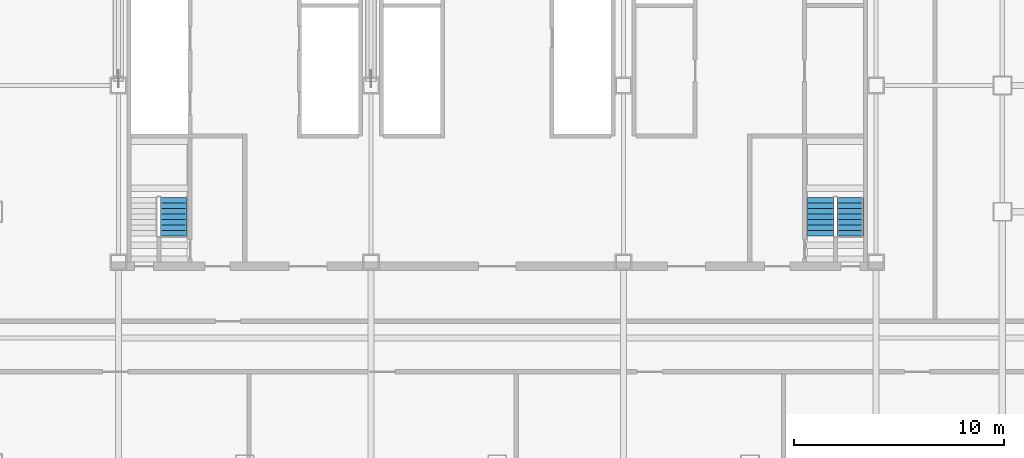
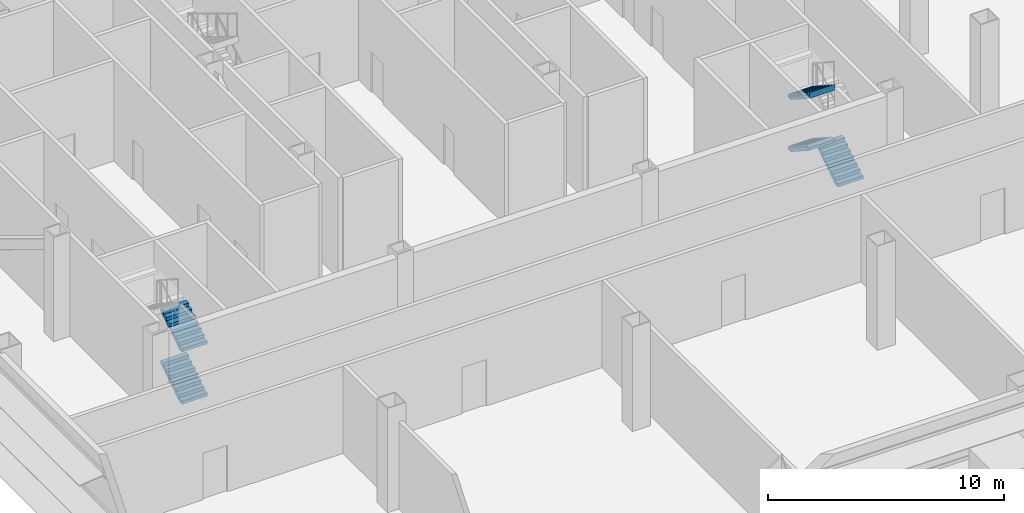
# One storey, part 7 of 11: 5 stair flights, 2 elements without a shape of their own.
"""IFC4 building model written with IfcOpenShell, lengths in metres."""

from ifc_helpers import new_model, si_unit, direction, frame, origin, place, context, subcontext, project, spatial, polyline, outline, extrude, material, type_object, element, aggregate, save


model = new_model("IFC4")

# Units and contexts
model_context = context("Model", 3, precision=1e-05, world=origin(), true_north=direction((0.0, 1.0)))
body_context = subcontext(model_context, "Body", "Model", "MODEL_VIEW")
ifc_project = project(units=[si_unit("LENGTHUNIT", "METRE"), si_unit("AREAUNIT", "SQUARE_METRE"), si_unit("VOLUMEUNIT", "CUBIC_METRE"), si_unit("PLANEANGLEUNIT", "RADIAN"), si_unit("MASSUNIT", "GRAM", prefix="KILO")], contexts=[model_context])

# Site, building, storey
site_placement = place(None, origin())
site = spatial("IfcSite", under=ifc_project, at=site_placement, CompositionType="ELEMENT")
building_placement = place(site_placement, origin())
building = spatial("IfcBuilding", under=site, at=building_placement, Name="Sorahane Residences", CompositionType="ELEMENT")
storey_placement = place(building_placement, frame((0.0, 0.0, 44.39990234375)))
storey = spatial("IfcBuildingStorey", under=building, at=storey_placement, Name="L07", CompositionType="ELEMENT", Elevation=44.39990234375)

# Stair, stair flights
ifc_material_1 = material(Name="Concrete C40", Category="concrete")
stair_type = type_object("IfcStairType", Name="Dog-leg stair 1250 Concrete C40", PredefinedType="HALF_TURN_STAIR", material=ifc_material_1)
stair_1_placement = place(storey_placement, origin())
stair_1 = element("IfcStair", 1, at=stair_1_placement, inside=storey, type_object=stair_type, Name="L07 Stair S4", PredefinedType="HALF_TURN_STAIR")
ifc_material_2 = material(Name="Concrete C40", Category="concrete")
stair_flight_type = type_object("IfcStairFlightType", Name="Stair flight 1250 Concrete C40", PredefinedType="STRAIGHT", material=ifc_material_2)
stair_flight_1_placement = place(storey_placement, frame((8.625, 22.85009765625, 0.0), z_axis=(0.0, 0.0, 1.0), x_axis=(0.0, 1.0, 0.0)))
stair_flight_1 = element("IfcStairFlight", 2, at=stair_flight_1_placement, type_object=stair_flight_type, Name="S4 flight 1", NumberOfRisers=8, NumberOfTreads=7, PredefinedType="STRAIGHT", RiserHeight=0.16875, TreadLength=0.26, context=body_context, shape_type="SweptSolid", body=[
    extrude(outline(polyline([(-0.00146484375, 0.0), (-0.00146484375, 0.002197265625), (-0.00146484375, 0.004150390625), (-0.00146484375, 0.00634765625), (-0.00146484375, 0.00830078125), (-0.00146484375, 0.010498046875), (-0.00146484375, 0.012451171875), (-0.00146484375, 0.0146484375), (-0.00146484375, 0.0166015625), (-0.00146484375, 0.018798828125), (-0.00146484375, 0.020751953125), (-0.00146484375, 0.02294921875), (-0.00146484375, 0.02490234375), (-0.00146484375, 0.027099609375), (-0.00146484375, 0.029052734375), (-0.00146484375, 0.03125), (-0.00146484375, 0.033447265625), (-0.00146484375, 0.035400390625), (-0.00146484375, 0.03759765625), (-0.00146484375, 0.03955078125), (-0.00146484375, 0.041748046875), (-0.00146484375, 0.043701171875), (-0.00146484375, 0.0458984375), (-0.00146484375, 0.0478515625), (-0.00146484375, 0.050048828125), (-0.00146484375, 0.052001953125), (-0.00146484375, 0.05419921875), (-0.00146484375, 0.05615234375), (-0.00146484375, 0.058349609375), (-0.00146484375, 0.060302734375), (-0.00146484375, 0.0625), (-0.00146484375, 0.064697265625), (-0.00146484375, 0.066650390625), (-0.00146484375, 0.06884765625), (-0.00146484375, 0.07080078125), (-0.00146484375, 0.072998046875), (-0.00146484375, 0.074951171875), (-0.00146484375, 0.0771484375), (-0.00146484375, 0.0791015625), (-0.00146484375, 0.081298828125), (-0.00146484375, 0.083251953125), (-0.00146484375, 0.08544921875), (-0.00146484375, 0.08740234375), (-0.00146484375, 0.089599609375), (-0.00146484375, 0.091552734375), (-0.00146484375, 0.09375), (-0.00146484375, 0.095947265625), (-0.00146484375, 0.097900390625), (-0.00146484375, 0.10009765625), (-0.00146484375, 0.10205078125), (-0.00146484375, 0.104248046875), (-0.00146484375, 0.106201171875), (-0.00146484375, 0.1083984375), (-0.00146484375, 0.1103515625), (-0.00146484375, 0.112548828125), (-0.00146484375, 0.114501953125), (-0.00146484375, 0.11669921875), (-0.00146484375, 0.11865234375), (-0.00146484375, 0.120849609375), (-0.00146484375, 0.122802734375), (-0.00146484375, 0.125), (-0.00146484375, 0.127197265625), (-0.00146484375, 0.129150390625), (-0.00146484375, 0.13134765625), (-0.00146484375, 0.13330078125), (-0.00146484375, 0.135498046875), (-0.00146484375, 0.137451171875), (-0.00146484375, 0.1396484375), (-0.00146484375, 0.1416015625), (-0.00146484375, 0.143798828125), (-0.00146484375, 0.145751953125), (-0.00146484375, 0.14794921875), (-0.00146484375, 0.14990234375), (-0.00146484375, 0.152099609375), (-0.00146484375, 0.154052734375), (-0.00146484375, 0.15625), (-0.00146484375, 0.158447265625), (-0.00146484375, 0.160400390625), (-0.00146484375, 0.16259765625), (-0.00146484375, 0.16455078125), (-0.00146484375, 0.166748046875), (-0.00146484375, 0.168701171875), (0.0, 0.168701171875), (0.260009765625, 0.168701171875), (0.260009765625, 0.33740234375), (0.52001953125, 0.33740234375), (0.52001953125, 0.50634765625), (0.780029296875, 0.50634765625), (0.780029296875, 0.675048828125), (1.0400390625, 0.675048828125), (1.0400390625, 0.84375), (1.300048828125, 0.84375), (1.300048828125, 1.012451171875), (1.56005859375, 1.012451171875), (1.56005859375, 1.18115234375), (1.820068359375, 1.18115234375), (1.820068359375, 1.35009765625), (1.820068359375, 1.34619140625), (1.820068359375, 1.34228515625), (1.820068359375, 1.33837890625), (1.820068359375, 1.334716796875), (1.820068359375, 1.330810546875), (1.820068359375, 1.326904296875), (1.820068359375, 1.322998046875), (1.820068359375, 1.319091796875), (1.820068359375, 1.3154296875), (1.820068359375, 1.3115234375), (1.820068359375, 1.3076171875), (1.820068359375, 1.3037109375), (1.820068359375, 1.300048828125), (1.820068359375, 1.296142578125), (1.820068359375, 1.292236328125), (1.820068359375, 1.288330078125), (1.820068359375, 1.284423828125), (1.820068359375, 1.28076171875), (1.820068359375, 1.27685546875), (1.820068359375, 1.27294921875), (1.820068359375, 1.26904296875), (1.820068359375, 1.265380859375), (1.820068359375, 1.261474609375), (1.820068359375, 1.257568359375), (1.820068359375, 1.253662109375), (1.820068359375, 1.249755859375), (1.820068359375, 1.24609375), (1.820068359375, 1.2421875), (1.820068359375, 1.23828125), (1.820068359375, 1.234375), (1.820068359375, 1.230712890625), (1.820068359375, 1.226806640625), (1.820068359375, 1.222900390625), (1.820068359375, 1.218994140625), (1.820068359375, 1.215087890625), (1.820068359375, 1.21142578125), (1.820068359375, 1.20751953125), (1.820068359375, 1.20361328125), (1.820068359375, 1.19970703125), (1.820068359375, 1.196044921875), (1.820068359375, 1.192138671875), (1.820068359375, 1.188232421875), (1.820068359375, 1.184326171875), (1.820068359375, 1.1806640625), (1.820068359375, 1.1767578125), (1.820068359375, 1.1728515625), (1.820068359375, 1.1689453125), (1.820068359375, 1.1650390625), (1.820068359375, 1.161376953125), (1.820068359375, 1.157470703125), (1.820068359375, 1.153564453125), (1.820068359375, 1.149658203125), (1.820068359375, 1.14599609375), (1.820068359375, 1.14208984375), (1.820068359375, 1.13818359375), (1.820068359375, 1.13427734375), (1.820068359375, 1.13037109375), (1.820068359375, 1.126708984375), (1.820068359375, 1.122802734375), (1.820068359375, 1.118896484375), (1.820068359375, 1.114990234375), (1.820068359375, 1.111328125), (1.820068359375, 1.107421875), (1.820068359375, 1.103515625), (1.820068359375, 1.099609375), (1.820068359375, 1.095703125), (1.820068359375, 1.092041015625), (1.820068359375, 1.088134765625), (1.820068359375, 1.084228515625), (1.820068359375, 1.080322265625), (1.820068359375, 1.07666015625), (1.820068359375, 1.07275390625), (1.820068359375, 1.06884765625), (1.820068359375, 1.06494140625), (1.820068359375, 1.061279296875), (1.820068359375, 1.057373046875), (1.820068359375, 1.053466796875), (1.820068359375, 1.049560546875), (1.820068359375, 1.045654296875), (1.820068359375, 1.0419921875), (1.820068359375, 1.0380859375), (1.642333984375, 0.922607421875), (1.464599609375, 0.807373046875), (1.286865234375, 0.692138671875), (1.109130859375, 0.57666015625), (0.931396484375, 0.46142578125), (0.753662109375, 0.345947265625), (0.575927734375, 0.230712890625), (0.3984375, 0.115234375), (0.220703125, 0.0), (-0.00146484375, 0.0)])), frame((0.0, 0.625, 0.0), z_axis=(0.0, -1.0, 0.0), x_axis=(1.0, 0.0, 0.0)), (0.0, 0.0, 1.0), 1.25),
])
stair_flight_2_placement = place(storey_placement, frame((8.625, 22.85009765625, 2.7001953125), z_axis=(0.0, 0.0, 1.0), x_axis=(0.0, 1.0, 0.0)))
stair_flight_2 = element("IfcStairFlight", 3, at=stair_flight_2_placement, type_object=stair_flight_type, Name="S4 flight 3", NumberOfRisers=8, NumberOfTreads=7, PredefinedType="STRAIGHT", RiserHeight=0.16875, TreadLength=0.26, context=body_context, shape_type="SweptSolid", body=[
    extrude(outline(polyline([(0.0, 0.0), (0.0, 0.002197265625), (0.0, 0.004150390625), (0.0, 0.00634765625), (0.0, 0.00830078125), (0.0, 0.010498046875), (0.0, 0.012451171875), (0.0, 0.0146484375), (0.0, 0.0166015625), (0.0, 0.018798828125), (0.0, 0.020751953125), (0.0, 0.02294921875), (0.0, 0.02490234375), (0.0, 0.027099609375), (0.0, 0.029052734375), (0.0, 0.03125), (0.0, 0.033447265625), (0.0, 0.035400390625), (0.0, 0.03759765625), (0.0, 0.03955078125), (0.0, 0.041748046875), (0.0, 0.043701171875), (0.0, 0.0458984375), (0.0, 0.0478515625), (0.0, 0.050048828125), (0.0, 0.052001953125), (0.0, 0.05419921875), (0.0, 0.05615234375), (0.0, 0.058349609375), (0.0, 0.060302734375), (0.0, 0.0625), (0.0, 0.064697265625), (0.0, 0.066650390625), (0.0, 0.06884765625), (0.0, 0.07080078125), (0.0, 0.072998046875), (0.0, 0.074951171875), (0.0, 0.0771484375), (0.0, 0.0791015625), (0.0, 0.081298828125), (0.0, 0.083251953125), (0.0, 0.08544921875), (0.0, 0.08740234375), (0.0, 0.089599609375), (0.0, 0.091552734375), (0.0, 0.09375), (0.0, 0.095947265625), (0.0, 0.097900390625), (0.0, 0.10009765625), (0.0, 0.10205078125), (0.0, 0.104248046875), (0.0, 0.106201171875), (0.0, 0.1083984375), (0.0, 0.1103515625), (0.0, 0.112548828125), (0.0, 0.114501953125), (0.0, 0.11669921875), (0.0, 0.11865234375), (0.0, 0.120849609375), (0.0, 0.122802734375), (0.0, 0.125), (0.0, 0.127197265625), (0.0, 0.129150390625), (0.0, 0.13134765625), (0.0, 0.13330078125), (0.0, 0.135498046875), (0.0, 0.137451171875), (0.0, 0.1396484375), (0.0, 0.1416015625), (0.0, 0.143798828125), (0.0, 0.145751953125), (0.0, 0.14794921875), (0.0, 0.14990234375), (0.0, 0.152099609375), (0.0, 0.154052734375), (0.0, 0.15625), (0.0, 0.158447265625), (0.0, 0.160400390625), (0.0, 0.16259765625), (0.0, 0.16455078125), (0.0, 0.166748046875), (0.0, 0.168701171875), (0.260009765625, 0.168701171875), (0.260009765625, 0.33740234375), (0.52001953125, 0.33740234375), (0.52001953125, 0.50634765625), (0.780029296875, 0.50634765625), (0.780029296875, 0.675048828125), (1.0400390625, 0.675048828125), (1.0400390625, 0.84375), (1.300048828125, 0.84375), (1.300048828125, 1.012451171875), (1.56005859375, 1.012451171875), (1.56005859375, 1.18115234375), (1.820068359375, 1.18115234375), (1.820068359375, 1.35009765625), (1.820068359375, 1.34619140625), (1.820068359375, 1.34228515625), (1.820068359375, 1.33837890625), (1.820068359375, 1.334716796875), (1.820068359375, 1.330810546875), (1.820068359375, 1.326904296875), (1.820068359375, 1.322998046875), (1.820068359375, 1.319091796875), (1.820068359375, 1.3154296875), (1.820068359375, 1.3115234375), (1.820068359375, 1.3076171875), (1.820068359375, 1.3037109375), (1.820068359375, 1.300048828125), (1.820068359375, 1.296142578125), (1.820068359375, 1.292236328125), (1.820068359375, 1.288330078125), (1.820068359375, 1.284423828125), (1.820068359375, 1.28076171875), (1.820068359375, 1.27685546875), (1.820068359375, 1.27294921875), (1.820068359375, 1.26904296875), (1.820068359375, 1.265380859375), (1.820068359375, 1.261474609375), (1.820068359375, 1.257568359375), (1.820068359375, 1.253662109375), (1.820068359375, 1.249755859375), (1.820068359375, 1.24609375), (1.820068359375, 1.2421875), (1.820068359375, 1.23828125), (1.820068359375, 1.234375), (1.820068359375, 1.230712890625), (1.820068359375, 1.226806640625), (1.820068359375, 1.222900390625), (1.820068359375, 1.218994140625), (1.820068359375, 1.215087890625), (1.820068359375, 1.21142578125), (1.820068359375, 1.20751953125), (1.820068359375, 1.20361328125), (1.820068359375, 1.19970703125), (1.820068359375, 1.196044921875), (1.820068359375, 1.192138671875), (1.820068359375, 1.188232421875), (1.820068359375, 1.184326171875), (1.820068359375, 1.1806640625), (1.820068359375, 1.1767578125), (1.820068359375, 1.1728515625), (1.820068359375, 1.1689453125), (1.820068359375, 1.1650390625), (1.820068359375, 1.161376953125), (1.820068359375, 1.157470703125), (1.820068359375, 1.153564453125), (1.820068359375, 1.149658203125), (1.820068359375, 1.14599609375), (1.820068359375, 1.14208984375), (1.820068359375, 1.13818359375), (1.820068359375, 1.13427734375), (1.820068359375, 1.13037109375), (1.820068359375, 1.126708984375), (1.820068359375, 1.122802734375), (1.820068359375, 1.118896484375), (1.820068359375, 1.114990234375), (1.820068359375, 1.111328125), (1.820068359375, 1.107421875), (1.820068359375, 1.103515625), (1.820068359375, 1.099609375), (1.820068359375, 1.095703125), (1.820068359375, 1.092041015625), (1.820068359375, 1.088134765625), (1.820068359375, 1.084228515625), (1.820068359375, 1.080322265625), (1.820068359375, 1.07666015625), (1.820068359375, 1.07275390625), (1.820068359375, 1.06884765625), (1.820068359375, 1.06494140625), (1.820068359375, 1.061279296875), (1.820068359375, 1.057373046875), (1.820068359375, 1.053466796875), (1.820068359375, 1.049560546875), (1.820068359375, 1.045654296875), (1.820068359375, 1.0419921875), (1.820068359375, 1.0380859375), (1.6201171875, 0.908203125), (1.420166015625, 0.778564453125), (1.22021484375, 0.648681640625), (1.020263671875, 0.51904296875), (0.8203125, 0.38916015625), (0.620361328125, 0.259521484375), (0.420654296875, 0.129638671875), (0.220703125, 0.0), (0.0, 0.0)])), frame((0.0, 0.625, 0.0), z_axis=(0.0, -1.0, 0.0), x_axis=(1.0, 0.0, 0.0)), (0.0, 0.0, 1.0), 1.25),
])
aggregate(stair_1, [stair_flight_1, stair_flight_2])

stair_2_placement = place(storey_placement, origin())
stair_2 = element("IfcStair", 4, at=stair_2_placement, inside=storey, type_object=stair_type, Name="L07 Stair S5", PredefinedType="HALF_TURN_STAIR")
stair_flight_3_placement = place(storey_placement, frame((40.77490234375, 22.85009765625, 0.0), z_axis=(0.0, 0.0, 1.0), x_axis=(0.0, 1.0, 0.0)))
stair_flight_3 = element("IfcStairFlight", 5, at=stair_flight_3_placement, type_object=stair_flight_type, Name="S5 flight 1", NumberOfRisers=8, NumberOfTreads=7, PredefinedType="STRAIGHT", RiserHeight=0.16875, TreadLength=0.26, context=body_context, shape_type="SweptSolid", body=[
    extrude(outline(polyline([(-0.00146484375, 0.0), (-0.00146484375, 0.002197265625), (-0.00146484375, 0.004150390625), (-0.00146484375, 0.00634765625), (-0.00146484375, 0.00830078125), (-0.00146484375, 0.010498046875), (-0.00146484375, 0.012451171875), (-0.00146484375, 0.0146484375), (-0.00146484375, 0.0166015625), (-0.00146484375, 0.018798828125), (-0.00146484375, 0.020751953125), (-0.00146484375, 0.02294921875), (-0.00146484375, 0.02490234375), (-0.00146484375, 0.027099609375), (-0.00146484375, 0.029052734375), (-0.00146484375, 0.03125), (-0.00146484375, 0.033447265625), (-0.00146484375, 0.035400390625), (-0.00146484375, 0.03759765625), (-0.00146484375, 0.03955078125), (-0.00146484375, 0.041748046875), (-0.00146484375, 0.043701171875), (-0.00146484375, 0.0458984375), (-0.00146484375, 0.0478515625), (-0.00146484375, 0.050048828125), (-0.00146484375, 0.052001953125), (-0.00146484375, 0.05419921875), (-0.00146484375, 0.05615234375), (-0.00146484375, 0.058349609375), (-0.00146484375, 0.060302734375), (-0.00146484375, 0.0625), (-0.00146484375, 0.064697265625), (-0.00146484375, 0.066650390625), (-0.00146484375, 0.06884765625), (-0.00146484375, 0.07080078125), (-0.00146484375, 0.072998046875), (-0.00146484375, 0.074951171875), (-0.00146484375, 0.0771484375), (-0.00146484375, 0.0791015625), (-0.00146484375, 0.081298828125), (-0.00146484375, 0.083251953125), (-0.00146484375, 0.08544921875), (-0.00146484375, 0.08740234375), (-0.00146484375, 0.089599609375), (-0.00146484375, 0.091552734375), (-0.00146484375, 0.09375), (-0.00146484375, 0.095947265625), (-0.00146484375, 0.097900390625), (-0.00146484375, 0.10009765625), (-0.00146484375, 0.10205078125), (-0.00146484375, 0.104248046875), (-0.00146484375, 0.106201171875), (-0.00146484375, 0.1083984375), (-0.00146484375, 0.1103515625), (-0.00146484375, 0.112548828125), (-0.00146484375, 0.114501953125), (-0.00146484375, 0.11669921875), (-0.00146484375, 0.11865234375), (-0.00146484375, 0.120849609375), (-0.00146484375, 0.122802734375), (-0.00146484375, 0.125), (-0.00146484375, 0.127197265625), (-0.00146484375, 0.129150390625), (-0.00146484375, 0.13134765625), (-0.00146484375, 0.13330078125), (-0.00146484375, 0.135498046875), (-0.00146484375, 0.137451171875), (-0.00146484375, 0.1396484375), (-0.00146484375, 0.1416015625), (-0.00146484375, 0.143798828125), (-0.00146484375, 0.145751953125), (-0.00146484375, 0.14794921875), (-0.00146484375, 0.14990234375), (-0.00146484375, 0.152099609375), (-0.00146484375, 0.154052734375), (-0.00146484375, 0.15625), (-0.00146484375, 0.158447265625), (-0.00146484375, 0.160400390625), (-0.00146484375, 0.16259765625), (-0.00146484375, 0.16455078125), (-0.00146484375, 0.166748046875), (-0.00146484375, 0.168701171875), (0.0, 0.168701171875), (0.260009765625, 0.168701171875), (0.260009765625, 0.33740234375), (0.52001953125, 0.33740234375), (0.52001953125, 0.50634765625), (0.780029296875, 0.50634765625), (0.780029296875, 0.675048828125), (1.0400390625, 0.675048828125), (1.0400390625, 0.84375), (1.300048828125, 0.84375), (1.300048828125, 1.012451171875), (1.56005859375, 1.012451171875), (1.56005859375, 1.18115234375), (1.820068359375, 1.18115234375), (1.820068359375, 1.35009765625), (1.820068359375, 1.34619140625), (1.820068359375, 1.34228515625), (1.820068359375, 1.33837890625), (1.820068359375, 1.334716796875), (1.820068359375, 1.330810546875), (1.820068359375, 1.326904296875), (1.820068359375, 1.322998046875), (1.820068359375, 1.319091796875), (1.820068359375, 1.3154296875), (1.820068359375, 1.3115234375), (1.820068359375, 1.3076171875), (1.820068359375, 1.3037109375), (1.820068359375, 1.300048828125), (1.820068359375, 1.296142578125), (1.820068359375, 1.292236328125), (1.820068359375, 1.288330078125), (1.820068359375, 1.284423828125), (1.820068359375, 1.28076171875), (1.820068359375, 1.27685546875), (1.820068359375, 1.27294921875), (1.820068359375, 1.26904296875), (1.820068359375, 1.265380859375), (1.820068359375, 1.261474609375), (1.820068359375, 1.257568359375), (1.820068359375, 1.253662109375), (1.820068359375, 1.249755859375), (1.820068359375, 1.24609375), (1.820068359375, 1.2421875), (1.820068359375, 1.23828125), (1.820068359375, 1.234375), (1.820068359375, 1.230712890625), (1.820068359375, 1.226806640625), (1.820068359375, 1.222900390625), (1.820068359375, 1.218994140625), (1.820068359375, 1.215087890625), (1.820068359375, 1.21142578125), (1.820068359375, 1.20751953125), (1.820068359375, 1.20361328125), (1.820068359375, 1.19970703125), (1.820068359375, 1.196044921875), (1.820068359375, 1.192138671875), (1.820068359375, 1.188232421875), (1.820068359375, 1.184326171875), (1.820068359375, 1.1806640625), (1.820068359375, 1.1767578125), (1.820068359375, 1.1728515625), (1.820068359375, 1.1689453125), (1.820068359375, 1.1650390625), (1.820068359375, 1.161376953125), (1.820068359375, 1.157470703125), (1.820068359375, 1.153564453125), (1.820068359375, 1.149658203125), (1.820068359375, 1.14599609375), (1.820068359375, 1.14208984375), (1.820068359375, 1.13818359375), (1.820068359375, 1.13427734375), (1.820068359375, 1.13037109375), (1.820068359375, 1.126708984375), (1.820068359375, 1.122802734375), (1.820068359375, 1.118896484375), (1.820068359375, 1.114990234375), (1.820068359375, 1.111328125), (1.820068359375, 1.107421875), (1.820068359375, 1.103515625), (1.820068359375, 1.099609375), (1.820068359375, 1.095703125), (1.820068359375, 1.092041015625), (1.820068359375, 1.088134765625), (1.820068359375, 1.084228515625), (1.820068359375, 1.080322265625), (1.820068359375, 1.07666015625), (1.820068359375, 1.07275390625), (1.820068359375, 1.06884765625), (1.820068359375, 1.06494140625), (1.820068359375, 1.061279296875), (1.820068359375, 1.057373046875), (1.820068359375, 1.053466796875), (1.820068359375, 1.049560546875), (1.820068359375, 1.045654296875), (1.820068359375, 1.0419921875), (1.820068359375, 1.0380859375), (1.642333984375, 0.922607421875), (1.464599609375, 0.807373046875), (1.286865234375, 0.692138671875), (1.109130859375, 0.57666015625), (0.931396484375, 0.46142578125), (0.753662109375, 0.345947265625), (0.575927734375, 0.230712890625), (0.3984375, 0.115234375), (0.220703125, 0.0), (-0.00146484375, 0.0)])), frame((0.0, 0.625, 0.0), z_axis=(0.0, -1.0, 0.0), x_axis=(1.0, 0.0, 0.0)), (0.0, 0.0, 1.0), 1.25),
])
stair_flight_4_placement = place(storey_placement, frame((39.375, 24.669921875, 1.35009765625), z_axis=(0.0, 0.0, 1.0), x_axis=(0.0, -1.0, 0.0)))
stair_flight_4 = element("IfcStairFlight", 6, at=stair_flight_4_placement, type_object=stair_flight_type, Name="S5 flight 2", NumberOfRisers=8, NumberOfTreads=7, PredefinedType="STRAIGHT", RiserHeight=0.16875, TreadLength=0.26, context=body_context, shape_type="SweptSolid", body=[
    extrude(outline(polyline([(0.0, 0.0), (0.0, 0.002197265625), (0.0, 0.004150390625), (0.0, 0.00634765625), (0.0, 0.00830078125), (0.0, 0.010498046875), (0.0, 0.012451171875), (0.0, 0.0146484375), (0.0, 0.0166015625), (0.0, 0.018798828125), (0.0, 0.020751953125), (0.0, 0.02294921875), (0.0, 0.02490234375), (0.0, 0.027099609375), (0.0, 0.029052734375), (0.0, 0.03125), (0.0, 0.033447265625), (0.0, 0.035400390625), (0.0, 0.03759765625), (0.0, 0.03955078125), (0.0, 0.041748046875), (0.0, 0.043701171875), (0.0, 0.0458984375), (0.0, 0.0478515625), (0.0, 0.050048828125), (0.0, 0.052001953125), (0.0, 0.05419921875), (0.0, 0.05615234375), (0.0, 0.058349609375), (0.0, 0.060302734375), (0.0, 0.0625), (0.0, 0.064697265625), (0.0, 0.066650390625), (0.0, 0.06884765625), (0.0, 0.07080078125), (0.0, 0.072998046875), (0.0, 0.074951171875), (0.0, 0.0771484375), (0.0, 0.0791015625), (0.0, 0.081298828125), (0.0, 0.083251953125), (0.0, 0.08544921875), (0.0, 0.08740234375), (0.0, 0.089599609375), (0.0, 0.091552734375), (0.0, 0.09375), (0.0, 0.095947265625), (0.0, 0.097900390625), (0.0, 0.10009765625), (0.0, 0.10205078125), (0.0, 0.104248046875), (0.0, 0.106201171875), (0.0, 0.1083984375), (0.0, 0.1103515625), (0.0, 0.112548828125), (0.0, 0.114501953125), (0.0, 0.11669921875), (0.0, 0.11865234375), (0.0, 0.120849609375), (0.0, 0.122802734375), (0.0, 0.125), (0.0, 0.127197265625), (0.0, 0.129150390625), (0.0, 0.13134765625), (0.0, 0.13330078125), (0.0, 0.135498046875), (0.0, 0.137451171875), (0.0, 0.1396484375), (0.0, 0.1416015625), (0.0, 0.143798828125), (0.0, 0.145751953125), (0.0, 0.14794921875), (0.0, 0.14990234375), (0.0, 0.152099609375), (0.0, 0.154052734375), (0.0, 0.15625), (0.0, 0.158447265625), (0.0, 0.160400390625), (0.0, 0.16259765625), (0.0, 0.16455078125), (0.0, 0.166748046875), (0.0, 0.168701171875), (0.260009765625, 0.168701171875), (0.260009765625, 0.33740234375), (0.52001953125, 0.33740234375), (0.52001953125, 0.50634765625), (0.780029296875, 0.50634765625), (0.780029296875, 0.675048828125), (1.0400390625, 0.675048828125), (1.0400390625, 0.84375), (1.300048828125, 0.84375), (1.300048828125, 1.012451171875), (1.56005859375, 1.012451171875), (1.56005859375, 1.18115234375), (1.820068359375, 1.18115234375), (1.820068359375, 1.35009765625), (1.820068359375, 1.34619140625), (1.820068359375, 1.34228515625), (1.820068359375, 1.33837890625), (1.820068359375, 1.334716796875), (1.820068359375, 1.330810546875), (1.820068359375, 1.326904296875), (1.820068359375, 1.322998046875), (1.820068359375, 1.319091796875), (1.820068359375, 1.3154296875), (1.820068359375, 1.3115234375), (1.820068359375, 1.3076171875), (1.820068359375, 1.3037109375), (1.820068359375, 1.300048828125), (1.820068359375, 1.296142578125), (1.820068359375, 1.292236328125), (1.820068359375, 1.288330078125), (1.820068359375, 1.284423828125), (1.820068359375, 1.28076171875), (1.820068359375, 1.27685546875), (1.820068359375, 1.27294921875), (1.820068359375, 1.26904296875), (1.820068359375, 1.265380859375), (1.820068359375, 1.261474609375), (1.820068359375, 1.257568359375), (1.820068359375, 1.253662109375), (1.820068359375, 1.249755859375), (1.820068359375, 1.24609375), (1.820068359375, 1.2421875), (1.820068359375, 1.23828125), (1.820068359375, 1.234375), (1.820068359375, 1.230712890625), (1.820068359375, 1.226806640625), (1.820068359375, 1.222900390625), (1.820068359375, 1.218994140625), (1.820068359375, 1.215087890625), (1.820068359375, 1.21142578125), (1.820068359375, 1.20751953125), (1.820068359375, 1.20361328125), (1.820068359375, 1.19970703125), (1.820068359375, 1.196044921875), (1.820068359375, 1.192138671875), (1.820068359375, 1.188232421875), (1.820068359375, 1.184326171875), (1.820068359375, 1.1806640625), (1.820068359375, 1.1767578125), (1.820068359375, 1.1728515625), (1.820068359375, 1.1689453125), (1.820068359375, 1.1650390625), (1.820068359375, 1.161376953125), (1.820068359375, 1.157470703125), (1.820068359375, 1.153564453125), (1.820068359375, 1.149658203125), (1.820068359375, 1.14599609375), (1.820068359375, 1.14208984375), (1.820068359375, 1.13818359375), (1.820068359375, 1.13427734375), (1.820068359375, 1.13037109375), (1.820068359375, 1.126708984375), (1.820068359375, 1.122802734375), (1.820068359375, 1.118896484375), (1.820068359375, 1.114990234375), (1.820068359375, 1.111328125), (1.820068359375, 1.107421875), (1.820068359375, 1.103515625), (1.820068359375, 1.099609375), (1.820068359375, 1.095703125), (1.820068359375, 1.092041015625), (1.820068359375, 1.088134765625), (1.820068359375, 1.084228515625), (1.820068359375, 1.080322265625), (1.820068359375, 1.07666015625), (1.820068359375, 1.07275390625), (1.820068359375, 1.06884765625), (1.820068359375, 1.06494140625), (1.820068359375, 1.061279296875), (1.820068359375, 1.057373046875), (1.820068359375, 1.053466796875), (1.820068359375, 1.049560546875), (1.820068359375, 1.045654296875), (1.820068359375, 1.0419921875), (1.820068359375, 1.0380859375), (1.6201171875, 0.908203125), (1.420166015625, 0.778564453125), (1.22021484375, 0.648681640625), (1.020263671875, 0.51904296875), (0.8203125, 0.38916015625), (0.620361328125, 0.259521484375), (0.420654296875, 0.129638671875), (0.220703125, 0.0), (0.0, 0.0)])), frame((0.0, 0.625, 0.0), z_axis=(0.0, -1.0, 0.0), x_axis=(1.0, 0.0, 0.0)), (0.0, 0.0, 1.0), 1.25),
])
stair_flight_5_placement = place(storey_placement, frame((39.375, 24.669921875, 4.050048828125), z_axis=(0.0, 0.0, 1.0), x_axis=(0.0, -1.0, 0.0)))
stair_flight_5 = element("IfcStairFlight", 7, at=stair_flight_5_placement, type_object=stair_flight_type, Name="S5 flight 4", NumberOfRisers=8, NumberOfTreads=7, PredefinedType="STRAIGHT", RiserHeight=0.16875, TreadLength=0.26, context=body_context, shape_type="SweptSolid", body=[
    extrude(outline(polyline([(0.0, 0.0), (0.0, 0.002197265625), (0.0, 0.004150390625), (0.0, 0.00634765625), (0.0, 0.00830078125), (0.0, 0.010498046875), (0.0, 0.012451171875), (0.0, 0.0146484375), (0.0, 0.0166015625), (0.0, 0.018798828125), (0.0, 0.020751953125), (0.0, 0.02294921875), (0.0, 0.02490234375), (0.0, 0.027099609375), (0.0, 0.029052734375), (0.0, 0.03125), (0.0, 0.033447265625), (0.0, 0.035400390625), (0.0, 0.03759765625), (0.0, 0.03955078125), (0.0, 0.041748046875), (0.0, 0.043701171875), (0.0, 0.0458984375), (0.0, 0.0478515625), (0.0, 0.050048828125), (0.0, 0.052001953125), (0.0, 0.05419921875), (0.0, 0.05615234375), (0.0, 0.058349609375), (0.0, 0.060302734375), (0.0, 0.0625), (0.0, 0.064697265625), (0.0, 0.066650390625), (0.0, 0.06884765625), (0.0, 0.07080078125), (0.0, 0.072998046875), (0.0, 0.074951171875), (0.0, 0.0771484375), (0.0, 0.0791015625), (0.0, 0.081298828125), (0.0, 0.083251953125), (0.0, 0.08544921875), (0.0, 0.08740234375), (0.0, 0.089599609375), (0.0, 0.091552734375), (0.0, 0.09375), (0.0, 0.095947265625), (0.0, 0.097900390625), (0.0, 0.10009765625), (0.0, 0.10205078125), (0.0, 0.104248046875), (0.0, 0.106201171875), (0.0, 0.1083984375), (0.0, 0.1103515625), (0.0, 0.112548828125), (0.0, 0.114501953125), (0.0, 0.11669921875), (0.0, 0.11865234375), (0.0, 0.120849609375), (0.0, 0.122802734375), (0.0, 0.125), (0.0, 0.127197265625), (0.0, 0.129150390625), (0.0, 0.13134765625), (0.0, 0.13330078125), (0.0, 0.135498046875), (0.0, 0.137451171875), (0.0, 0.1396484375), (0.0, 0.1416015625), (0.0, 0.143798828125), (0.0, 0.145751953125), (0.0, 0.14794921875), (0.0, 0.14990234375), (0.0, 0.152099609375), (0.0, 0.154052734375), (0.0, 0.15625), (0.0, 0.158447265625), (0.0, 0.160400390625), (0.0, 0.16259765625), (0.0, 0.16455078125), (0.0, 0.166748046875), (0.0, 0.168701171875), (0.260009765625, 0.168701171875), (0.260009765625, 0.33740234375), (0.52001953125, 0.33740234375), (0.52001953125, 0.50634765625), (0.780029296875, 0.50634765625), (0.780029296875, 0.675048828125), (1.0400390625, 0.675048828125), (1.0400390625, 0.84375), (1.300048828125, 0.84375), (1.300048828125, 1.012451171875), (1.56005859375, 1.012451171875), (1.56005859375, 1.18115234375), (1.820068359375, 1.18115234375), (1.820068359375, 1.35009765625), (1.821533203125, 1.35009765625), (1.821533203125, 1.34619140625), (1.821533203125, 1.34228515625), (1.821533203125, 1.33837890625), (1.821533203125, 1.334716796875), (1.821533203125, 1.330810546875), (1.821533203125, 1.326904296875), (1.821533203125, 1.322998046875), (1.821533203125, 1.319091796875), (1.821533203125, 1.3154296875), (1.821533203125, 1.3115234375), (1.821533203125, 1.3076171875), (1.821533203125, 1.3037109375), (1.821533203125, 1.300048828125), (1.821533203125, 1.296142578125), (1.821533203125, 1.292236328125), (1.821533203125, 1.288330078125), (1.821533203125, 1.284423828125), (1.821533203125, 1.28076171875), (1.821533203125, 1.27685546875), (1.821533203125, 1.27294921875), (1.821533203125, 1.26904296875), (1.821533203125, 1.265380859375), (1.821533203125, 1.261474609375), (1.821533203125, 1.257568359375), (1.821533203125, 1.253662109375), (1.821533203125, 1.249755859375), (1.821533203125, 1.24609375), (1.821533203125, 1.2421875), (1.821533203125, 1.23828125), (1.821533203125, 1.234375), (1.821533203125, 1.230712890625), (1.821533203125, 1.226806640625), (1.821533203125, 1.222900390625), (1.821533203125, 1.218994140625), (1.821533203125, 1.215087890625), (1.821533203125, 1.21142578125), (1.821533203125, 1.20751953125), (1.821533203125, 1.20361328125), (1.821533203125, 1.19970703125), (1.821533203125, 1.196044921875), (1.821533203125, 1.192138671875), (1.821533203125, 1.188232421875), (1.821533203125, 1.184326171875), (1.821533203125, 1.1806640625), (1.821533203125, 1.1767578125), (1.821533203125, 1.1728515625), (1.821533203125, 1.1689453125), (1.821533203125, 1.1650390625), (1.821533203125, 1.161376953125), (1.821533203125, 1.157470703125), (1.821533203125, 1.153564453125), (1.821533203125, 1.149658203125), (1.821533203125, 1.14599609375), (1.821533203125, 1.14208984375), (1.821533203125, 1.13818359375), (1.821533203125, 1.13427734375), (1.821533203125, 1.13037109375), (1.821533203125, 1.126708984375), (1.821533203125, 1.122802734375), (1.821533203125, 1.118896484375), (1.821533203125, 1.114990234375), (1.821533203125, 1.111328125), (1.821533203125, 1.107421875), (1.821533203125, 1.103515625), (1.821533203125, 1.099609375), (1.821533203125, 1.095703125), (1.821533203125, 1.092041015625), (1.821533203125, 1.088134765625), (1.821533203125, 1.084228515625), (1.821533203125, 1.080322265625), (1.821533203125, 1.07666015625), (1.821533203125, 1.07275390625), (1.821533203125, 1.06884765625), (1.821533203125, 1.06494140625), (1.821533203125, 1.061279296875), (1.821533203125, 1.057373046875), (1.821533203125, 1.053466796875), (1.821533203125, 1.049560546875), (1.821533203125, 1.045654296875), (1.821533203125, 1.0419921875), (1.821533203125, 1.0380859375), (1.6435546875, 0.922607421875), (1.4658203125, 0.807373046875), (1.287841796875, 0.692138671875), (1.110107421875, 0.57666015625), (0.93212890625, 0.46142578125), (0.754150390625, 0.345947265625), (0.576416015625, 0.230712890625), (0.3984375, 0.115234375), (0.220703125, 0.0), (0.0, 0.0)])), frame((0.0, 0.625, 0.0), z_axis=(0.0, -1.0, 0.0), x_axis=(1.0, 0.0, 0.0)), (0.0, 0.0, 1.0), 1.25),
])
aggregate(stair_2, [stair_flight_3, stair_flight_4, stair_flight_5])

save(model, "model.ifc")
